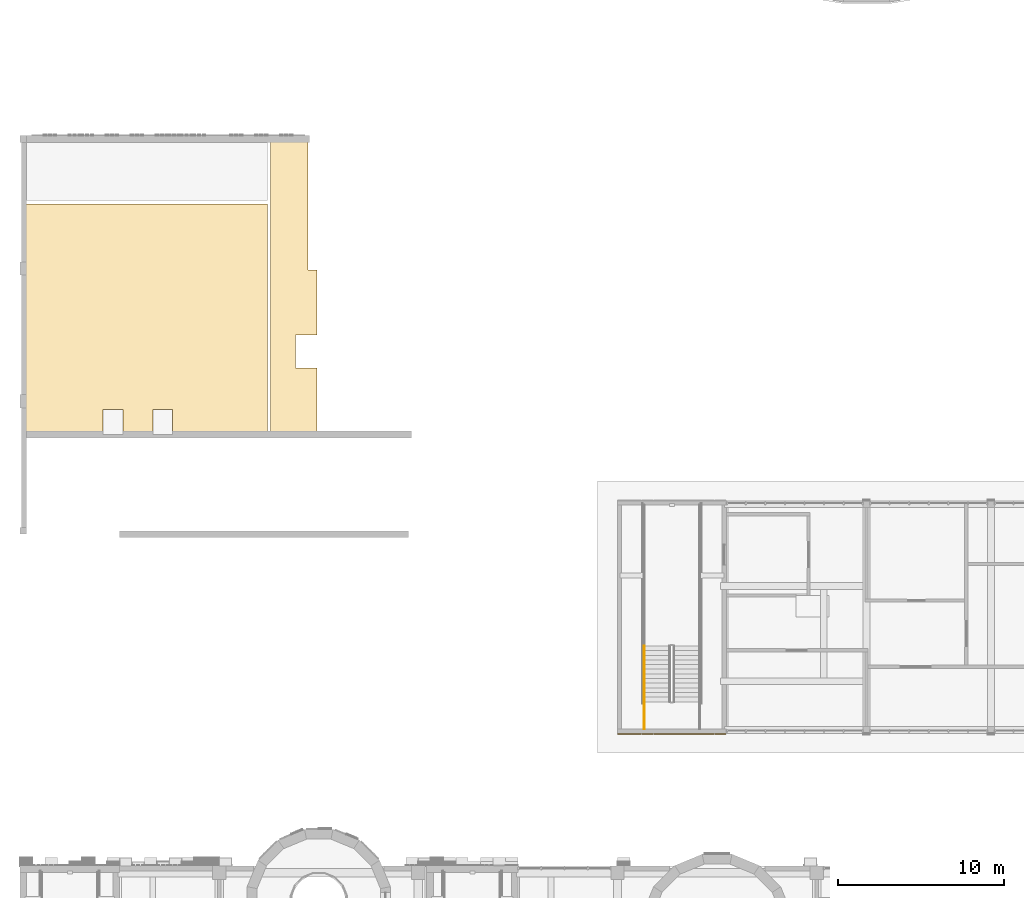
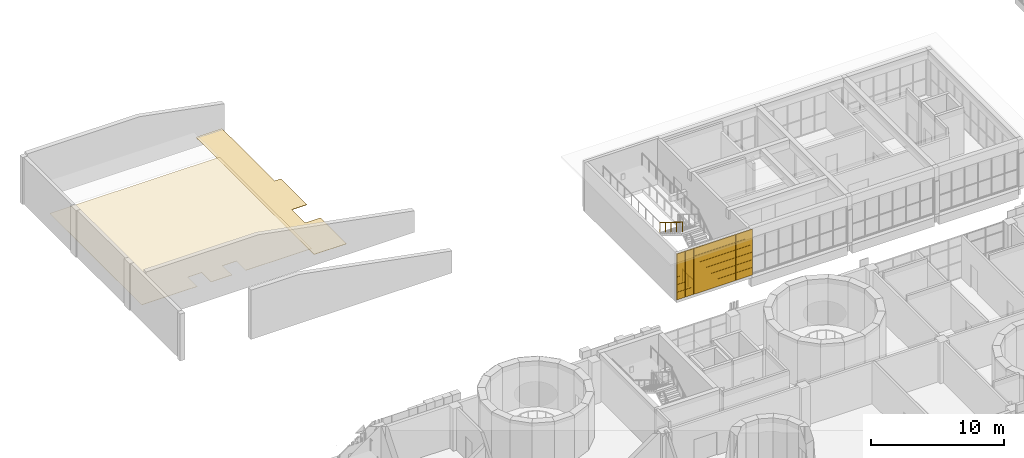
# One storey, part 70 of 92: 3 coverings, 2 railings.
"""IFC4 building model written with IfcOpenShell, lengths in metres."""

from ifc_helpers import new_model, si_unit, direction, frame, origin, origin_2d, place, context, subcontext, project, spatial, polyline, rectangle, circle, outline, extrude, material, layer, layer_set, type_object, element, save


model = new_model("IFC4")

# Units and contexts
model_context = context("Model", 3, precision=1e-05, world=origin(), true_north=direction((0.0, 1.0)))
body_context = subcontext(model_context, "Body", "Model", "MODEL_VIEW")
ifc_project = project(units=[si_unit("LENGTHUNIT", "METRE"), si_unit("AREAUNIT", "SQUARE_METRE"), si_unit("VOLUMEUNIT", "CUBIC_METRE"), si_unit("PLANEANGLEUNIT", "RADIAN"), si_unit("MASSUNIT", "GRAM", prefix="KILO")], contexts=[model_context])

# Site, building, storey
site_placement = place(None, origin())
site = spatial("IfcSite", under=ifc_project, at=site_placement, CompositionType="ELEMENT")
building_placement = place(site_placement, origin())
building = spatial("IfcBuilding", under=site, at=building_placement, Name="Sun Court Science Centre", CompositionType="ELEMENT")
storey_placement = place(building_placement, frame((0.0, 0.0, 11.25)))
storey = spatial("IfcBuildingStorey", under=building, at=storey_placement, Name="L02", CompositionType="ELEMENT", Elevation=11.25)

# Coverings
ifc_material_1 = material(Name="Perforated steel", Category="steel")
ifc_layer_1 = layer(ifc_material_1, 0.030029296875)
ifc_layer_set_1 = layer_set([ifc_layer_1], Name="Perforated steel")
covering_type_1 = type_object("IfcCoveringType", Name="Ceiling acoustic perforated", PredefinedType="CEILING", material=ifc_layer_set_1)
covering_1_placement = place(storey_placement, frame((0.0, 0.0, 1.0576171875)))
element("IfcCovering", 1, at=covering_1_placement, inside=storey, type_object=covering_type_1, Name="L00-069 ceiling", PredefinedType="CEILING", context=body_context, shape_type="SweptSolid", body=[
    extrude(outline(polyline([(9.199951171875, 55.5), (8.0, 55.5), (8.0, 54.10009765625), (6.199951171875, 54.10009765625), (6.199951171875, 55.5), (5.0, 55.5), (5.0, 54.10009765625), (0.199951171875, 54.10009765625), (0.199951171875, 67.89990234375), (14.89990234375, 67.89990234375), (14.89990234375, 54.10009765625), (9.199951171875, 54.10009765625), (9.199951171875, 55.5)])), origin(), (0.0, 0.0, 1.0), 0.02978515625),
])
ifc_material_2 = material(Name="Gypsum board")
ifc_layer_2 = layer(ifc_material_2, 0.030029296875)
ifc_layer_set_2 = layer_set([ifc_layer_2], Name="Gypsum board")
covering_type_2 = type_object("IfcCoveringType", Name="Ceiling suspended 600 module", PredefinedType="CEILING", material=ifc_layer_set_2)
covering_2_placement = place(storey_placement, frame((0.0, 0.0, 0.445068359375)))
element("IfcCovering", 2, at=covering_2_placement, inside=storey, type_object=covering_type_2, Name="L00-070 ceiling", PredefinedType="CEILING", context=body_context, shape_type="SweptSolid", body=[
    extrude(outline(polyline([(17.35009765625, 63.89990234375), (17.89990234375, 63.89990234375), (17.89990234375, 60.0), (16.60009765625, 60.0), (16.60009765625, 58.0), (17.89990234375, 58.0), (17.89990234375, 54.10009765625), (15.10009765625, 54.10009765625), (15.10009765625, 71.800048828125), (17.35009765625, 71.800048828125), (17.35009765625, 63.89990234375)])), origin(), (0.0, 0.0, 1.0), 0.030029296875),
])

# Railings
ifc_material_3 = material(Name="Steel S275", Category="steel")
railing_type_1 = type_object("IfcRailingType", Name="Guard 1100 steel balustrade", PredefinedType="GUARDRAIL", material=ifc_material_3)
railing_1_placement = place(storey_placement, frame((37.60205078125, 36.25, 0.0)))
element("IfcRailing", 3, at=railing_1_placement, inside=storey, type_object=railing_type_1, Name="L02 SP1 stair guard 8", PredefinedType="GUARDRAIL", context=body_context, shape_type="SweptSolid", body=[
    extrude(circle(Radius=0.02392578125, at=origin_2d()), frame((0.0, 0.0, 1.076171875), z_axis=(0.0, 1.0, 0.0), x_axis=(-1.0, 0.0, 0.0)), (0.0, 0.0, 1.0), 1.64794921875),
    extrude(circle(Radius=0.02099609375, at=origin_2d()), origin(), (0.0, 0.0, 1.0), 1.052001953125),
    extrude(circle(Radius=0.02099609375, at=origin_2d()), frame((0.0, 0.823974609375, 0.0)), (0.0, 0.0, 1.0), 1.052001953125),
    extrude(circle(Radius=0.02099609375, at=origin_2d()), frame((0.0, 1.64794921875, 0.0)), (0.0, 0.0, 1.0), 1.052001953125),
])
ifc_material_4 = material(Name="Stainless steel", Category="steel")
railing_type_2 = type_object("IfcRailingType", Name="Handrail 900 stainless", PredefinedType="HANDRAIL", material=ifc_material_4)
railing_2_placement = place(storey_placement, frame((37.60205078125, 41.258056640625, 2.423095703125)))
element("IfcRailing", 4, at=railing_2_placement, inside=storey, type_object=railing_type_2, Name="L02 SP1 stair handrail 2", PredefinedType="HANDRAIL", context=body_context, shape_type="SweptSolid", body=[
    extrude(circle(Radius=0.02392578125, at=origin_2d()), frame((0.0, 0.0, 0.8759765625), z_axis=(0.0, -0.850623216509, 0.525775754039), x_axis=(1.0, 0.0, 0.0)), (0.0, 0.0, 1.0), 3.9501953125),
    extrude(circle(Radius=0.02099609375, at=origin_2d()), origin(), (0.0, 0.0, 1.0), 0.851806640625),
    extrude(circle(Radius=0.02099609375, at=origin_2d()), frame((0.0, -0.840087890625, 0.519287109375)), (0.0, 0.0, 1.0), 0.851806640625),
    extrude(circle(Radius=0.02099609375, at=origin_2d()), frame((0.0, -1.68017578125, 1.03857421875)), (0.0, 0.0, 1.0), 0.851806640625),
    extrude(circle(Radius=0.02099609375, at=origin_2d()), frame((0.0, -2.52001953125, 1.5576171875)), (0.0, 0.0, 1.0), 0.851806640625),
    extrude(circle(Radius=0.02099609375, at=origin_2d()), frame((0.0, -3.360107421875, 2.076904296875)), (0.0, 0.0, 1.0), 0.851806640625),
])

# Covering
ifc_material_5 = material(Name="Red sandstone", Category="masonry")
ifc_layer_3 = layer(ifc_material_5, 0.06005859375)
ifc_layer_set_3 = layer_set([ifc_layer_3], Name="Red sandstone")
covering_type_3 = type_object("IfcCoveringType", Name="Red sandstone wall cladding 750", PredefinedType="CLADDING", material=ifc_layer_set_3)
covering_3_placement = place(storey_placement, frame((0.0, 0.0, -11.25)))
element("IfcCovering", 5, at=covering_3_placement, inside=storey, type_object=covering_type_3, Name="Red sandstone wall cladding south face L02", PredefinedType="CLADDING", context=body_context, shape_type="SweptSolid", body=[
    extrude(rectangle(XDim=0.7177734375, YDim=0.06005859375, at=origin_2d()), frame((42.18603515625, 35.969970703125, 11.255126953125), z_axis=(0.0, 0.0, 1.0), x_axis=(-1.0, 0.0, 0.0)), (0.0, 0.0, 1.0), 0.68994140625),
    extrude(rectangle(XDim=0.7177734375, YDim=0.06005859375, at=origin_2d()), frame((41.458251953125, 35.969970703125, 11.255126953125), z_axis=(0.0, 0.0, 1.0), x_axis=(-1.0, 0.0, 0.0)), (0.0, 0.0, 1.0), 0.68994140625),
    extrude(rectangle(XDim=0.7177734375, YDim=0.06005859375, at=origin_2d()), frame((40.73046875, 35.969970703125, 11.255126953125), z_axis=(0.0, 0.0, 1.0), x_axis=(-1.0, 0.0, 0.0)), (0.0, 0.0, 1.0), 0.68994140625),
    extrude(rectangle(XDim=0.7177734375, YDim=0.06005859375, at=origin_2d()), frame((40.002685546875, 35.969970703125, 11.255126953125), z_axis=(0.0, 0.0, 1.0), x_axis=(-1.0, 0.0, 0.0)), (0.0, 0.0, 1.0), 0.68994140625),
    extrude(rectangle(XDim=0.7177734375, YDim=0.06005859375, at=origin_2d()), frame((39.27490234375, 35.969970703125, 11.255126953125), z_axis=(0.0, 0.0, 1.0), x_axis=(-1.0, 0.0, 0.0)), (0.0, 0.0, 1.0), 0.68994140625),
    extrude(rectangle(XDim=0.7177734375, YDim=0.06005859375, at=origin_2d()), frame((38.547119140625, 35.969970703125, 11.255126953125), z_axis=(0.0, 0.0, 1.0), x_axis=(-1.0, 0.0, 0.0)), (0.0, 0.0, 1.0), 0.68994140625),
    extrude(rectangle(XDim=0.7177734375, YDim=0.06005859375, at=origin_2d()), frame((37.8193359375, 35.969970703125, 11.255126953125), z_axis=(0.0, 0.0, 1.0), x_axis=(-1.0, 0.0, 0.0)), (0.0, 0.0, 1.0), 0.68994140625),
    extrude(rectangle(XDim=0.7177734375, YDim=0.06005859375, at=origin_2d()), frame((37.091552734375, 35.969970703125, 11.255126953125), z_axis=(0.0, 0.0, 1.0), x_axis=(-1.0, 0.0, 0.0)), (0.0, 0.0, 1.0), 0.68994140625),
    extrude(rectangle(XDim=0.7177734375, YDim=0.06005859375, at=origin_2d()), frame((36.36376953125, 35.969970703125, 11.255126953125), z_axis=(0.0, 0.0, 1.0), x_axis=(-1.0, 0.0, 0.0)), (0.0, 0.0, 1.0), 0.68994140625),
    extrude(rectangle(XDim=0.7177734375, YDim=0.06005859375, at=origin_2d()), frame((42.18603515625, 35.969970703125, 11.955078125), z_axis=(0.0, 0.0, 1.0), x_axis=(-1.0, 0.0, 0.0)), (0.0, 0.0, 1.0), 0.68994140625),
    extrude(rectangle(XDim=0.7177734375, YDim=0.06005859375, at=origin_2d()), frame((41.458251953125, 35.969970703125, 11.955078125), z_axis=(0.0, 0.0, 1.0), x_axis=(-1.0, 0.0, 0.0)), (0.0, 0.0, 1.0), 0.68994140625),
    extrude(rectangle(XDim=0.7177734375, YDim=0.06005859375, at=origin_2d()), frame((40.73046875, 35.969970703125, 11.955078125), z_axis=(0.0, 0.0, 1.0), x_axis=(-1.0, 0.0, 0.0)), (0.0, 0.0, 1.0), 0.68994140625),
    extrude(rectangle(XDim=0.7177734375, YDim=0.06005859375, at=origin_2d()), frame((40.002685546875, 35.969970703125, 11.955078125), z_axis=(0.0, 0.0, 1.0), x_axis=(-1.0, 0.0, 0.0)), (0.0, 0.0, 1.0), 0.68994140625),
    extrude(rectangle(XDim=0.7177734375, YDim=0.06005859375, at=origin_2d()), frame((39.27490234375, 35.969970703125, 11.955078125), z_axis=(0.0, 0.0, 1.0), x_axis=(-1.0, 0.0, 0.0)), (0.0, 0.0, 1.0), 0.68994140625),
    extrude(rectangle(XDim=0.7177734375, YDim=0.06005859375, at=origin_2d()), frame((38.547119140625, 35.969970703125, 11.955078125), z_axis=(0.0, 0.0, 1.0), x_axis=(-1.0, 0.0, 0.0)), (0.0, 0.0, 1.0), 0.68994140625),
    extrude(rectangle(XDim=0.7177734375, YDim=0.06005859375, at=origin_2d()), frame((37.8193359375, 35.969970703125, 11.955078125), z_axis=(0.0, 0.0, 1.0), x_axis=(-1.0, 0.0, 0.0)), (0.0, 0.0, 1.0), 0.68994140625),
    extrude(rectangle(XDim=0.7177734375, YDim=0.06005859375, at=origin_2d()), frame((37.091552734375, 35.969970703125, 11.955078125), z_axis=(0.0, 0.0, 1.0), x_axis=(-1.0, 0.0, 0.0)), (0.0, 0.0, 1.0), 0.68994140625),
    extrude(rectangle(XDim=0.7177734375, YDim=0.06005859375, at=origin_2d()), frame((36.36376953125, 35.969970703125, 11.955078125), z_axis=(0.0, 0.0, 1.0), x_axis=(-1.0, 0.0, 0.0)), (0.0, 0.0, 1.0), 0.68994140625),
    extrude(rectangle(XDim=0.7177734375, YDim=0.06005859375, at=origin_2d()), frame((42.18603515625, 35.969970703125, 12.655029296875), z_axis=(0.0, 0.0, 1.0), x_axis=(-1.0, 0.0, 0.0)), (0.0, 0.0, 1.0), 0.68994140625),
    extrude(rectangle(XDim=0.7177734375, YDim=0.06005859375, at=origin_2d()), frame((41.458251953125, 35.969970703125, 12.655029296875), z_axis=(0.0, 0.0, 1.0), x_axis=(-1.0, 0.0, 0.0)), (0.0, 0.0, 1.0), 0.68994140625),
    extrude(rectangle(XDim=0.7177734375, YDim=0.06005859375, at=origin_2d()), frame((40.73046875, 35.969970703125, 12.655029296875), z_axis=(0.0, 0.0, 1.0), x_axis=(-1.0, 0.0, 0.0)), (0.0, 0.0, 1.0), 0.68994140625),
    extrude(rectangle(XDim=0.7177734375, YDim=0.06005859375, at=origin_2d()), frame((40.002685546875, 35.969970703125, 12.655029296875), z_axis=(0.0, 0.0, 1.0), x_axis=(-1.0, 0.0, 0.0)), (0.0, 0.0, 1.0), 0.68994140625),
    extrude(rectangle(XDim=0.7177734375, YDim=0.06005859375, at=origin_2d()), frame((39.27490234375, 35.969970703125, 12.655029296875), z_axis=(0.0, 0.0, 1.0), x_axis=(-1.0, 0.0, 0.0)), (0.0, 0.0, 1.0), 0.68994140625),
    extrude(rectangle(XDim=0.7177734375, YDim=0.06005859375, at=origin_2d()), frame((38.547119140625, 35.969970703125, 12.655029296875), z_axis=(0.0, 0.0, 1.0), x_axis=(-1.0, 0.0, 0.0)), (0.0, 0.0, 1.0), 0.68994140625),
    extrude(rectangle(XDim=0.7177734375, YDim=0.06005859375, at=origin_2d()), frame((37.8193359375, 35.969970703125, 12.655029296875), z_axis=(0.0, 0.0, 1.0), x_axis=(-1.0, 0.0, 0.0)), (0.0, 0.0, 1.0), 0.68994140625),
    extrude(rectangle(XDim=0.7177734375, YDim=0.06005859375, at=origin_2d()), frame((37.091552734375, 35.969970703125, 12.655029296875), z_axis=(0.0, 0.0, 1.0), x_axis=(-1.0, 0.0, 0.0)), (0.0, 0.0, 1.0), 0.68994140625),
    extrude(rectangle(XDim=0.7177734375, YDim=0.06005859375, at=origin_2d()), frame((36.36376953125, 35.969970703125, 12.655029296875), z_axis=(0.0, 0.0, 1.0), x_axis=(-1.0, 0.0, 0.0)), (0.0, 0.0, 1.0), 0.68994140625),
    extrude(rectangle(XDim=0.7177734375, YDim=0.06005859375, at=origin_2d()), frame((42.18603515625, 35.969970703125, 13.35498046875), z_axis=(0.0, 0.0, 1.0), x_axis=(-1.0, 0.0, 0.0)), (0.0, 0.0, 1.0), 0.68994140625),
    extrude(rectangle(XDim=0.7177734375, YDim=0.06005859375, at=origin_2d()), frame((41.458251953125, 35.969970703125, 13.35498046875), z_axis=(0.0, 0.0, 1.0), x_axis=(-1.0, 0.0, 0.0)), (0.0, 0.0, 1.0), 0.68994140625),
    extrude(rectangle(XDim=0.7177734375, YDim=0.06005859375, at=origin_2d()), frame((40.73046875, 35.969970703125, 13.35498046875), z_axis=(0.0, 0.0, 1.0), x_axis=(-1.0, 0.0, 0.0)), (0.0, 0.0, 1.0), 0.68994140625),
    extrude(rectangle(XDim=0.7177734375, YDim=0.06005859375, at=origin_2d()), frame((40.002685546875, 35.969970703125, 13.35498046875), z_axis=(0.0, 0.0, 1.0), x_axis=(-1.0, 0.0, 0.0)), (0.0, 0.0, 1.0), 0.68994140625),
    extrude(rectangle(XDim=0.7177734375, YDim=0.06005859375, at=origin_2d()), frame((39.27490234375, 35.969970703125, 13.35498046875), z_axis=(0.0, 0.0, 1.0), x_axis=(-1.0, 0.0, 0.0)), (0.0, 0.0, 1.0), 0.68994140625),
    extrude(rectangle(XDim=0.7177734375, YDim=0.06005859375, at=origin_2d()), frame((38.547119140625, 35.969970703125, 13.35498046875), z_axis=(0.0, 0.0, 1.0), x_axis=(-1.0, 0.0, 0.0)), (0.0, 0.0, 1.0), 0.68994140625),
    extrude(rectangle(XDim=0.7177734375, YDim=0.06005859375, at=origin_2d()), frame((37.8193359375, 35.969970703125, 13.35498046875), z_axis=(0.0, 0.0, 1.0), x_axis=(-1.0, 0.0, 0.0)), (0.0, 0.0, 1.0), 0.68994140625),
    extrude(rectangle(XDim=0.7177734375, YDim=0.06005859375, at=origin_2d()), frame((37.091552734375, 35.969970703125, 13.35498046875), z_axis=(0.0, 0.0, 1.0), x_axis=(-1.0, 0.0, 0.0)), (0.0, 0.0, 1.0), 0.68994140625),
    extrude(rectangle(XDim=0.7177734375, YDim=0.06005859375, at=origin_2d()), frame((36.36376953125, 35.969970703125, 13.35498046875), z_axis=(0.0, 0.0, 1.0), x_axis=(-1.0, 0.0, 0.0)), (0.0, 0.0, 1.0), 0.68994140625),
    extrude(rectangle(XDim=0.7177734375, YDim=0.06005859375, at=origin_2d()), frame((42.18603515625, 35.969970703125, 14.054931640625), z_axis=(0.0, 0.0, 1.0), x_axis=(-1.0, 0.0, 0.0)), (0.0, 0.0, 1.0), 0.68994140625),
    extrude(rectangle(XDim=0.7177734375, YDim=0.06005859375, at=origin_2d()), frame((41.458251953125, 35.969970703125, 14.054931640625), z_axis=(0.0, 0.0, 1.0), x_axis=(-1.0, 0.0, 0.0)), (0.0, 0.0, 1.0), 0.68994140625),
    extrude(rectangle(XDim=0.7177734375, YDim=0.06005859375, at=origin_2d()), frame((40.73046875, 35.969970703125, 14.054931640625), z_axis=(0.0, 0.0, 1.0), x_axis=(-1.0, 0.0, 0.0)), (0.0, 0.0, 1.0), 0.68994140625),
    extrude(rectangle(XDim=0.7177734375, YDim=0.06005859375, at=origin_2d()), frame((40.002685546875, 35.969970703125, 14.054931640625), z_axis=(0.0, 0.0, 1.0), x_axis=(-1.0, 0.0, 0.0)), (0.0, 0.0, 1.0), 0.68994140625),
    extrude(rectangle(XDim=0.7177734375, YDim=0.06005859375, at=origin_2d()), frame((39.27490234375, 35.969970703125, 14.054931640625), z_axis=(0.0, 0.0, 1.0), x_axis=(-1.0, 0.0, 0.0)), (0.0, 0.0, 1.0), 0.68994140625),
    extrude(rectangle(XDim=0.7177734375, YDim=0.06005859375, at=origin_2d()), frame((38.547119140625, 35.969970703125, 14.054931640625), z_axis=(0.0, 0.0, 1.0), x_axis=(-1.0, 0.0, 0.0)), (0.0, 0.0, 1.0), 0.68994140625),
    extrude(rectangle(XDim=0.7177734375, YDim=0.06005859375, at=origin_2d()), frame((37.8193359375, 35.969970703125, 14.054931640625), z_axis=(0.0, 0.0, 1.0), x_axis=(-1.0, 0.0, 0.0)), (0.0, 0.0, 1.0), 0.68994140625),
    extrude(rectangle(XDim=0.7177734375, YDim=0.06005859375, at=origin_2d()), frame((37.091552734375, 35.969970703125, 14.054931640625), z_axis=(0.0, 0.0, 1.0), x_axis=(-1.0, 0.0, 0.0)), (0.0, 0.0, 1.0), 0.68994140625),
    extrude(rectangle(XDim=0.7177734375, YDim=0.06005859375, at=origin_2d()), frame((36.36376953125, 35.969970703125, 14.054931640625), z_axis=(0.0, 0.0, 1.0), x_axis=(-1.0, 0.0, 0.0)), (0.0, 0.0, 1.0), 0.68994140625),
    extrude(rectangle(XDim=0.7177734375, YDim=0.06005859375, at=origin_2d()), frame((42.18603515625, 35.969970703125, 14.755126953125), z_axis=(0.0, 0.0, 1.0), x_axis=(-1.0, 0.0, 0.0)), (0.0, 0.0, 1.0), 0.68994140625),
    extrude(rectangle(XDim=0.7177734375, YDim=0.06005859375, at=origin_2d()), frame((41.458251953125, 35.969970703125, 14.755126953125), z_axis=(0.0, 0.0, 1.0), x_axis=(-1.0, 0.0, 0.0)), (0.0, 0.0, 1.0), 0.68994140625),
    extrude(rectangle(XDim=0.7177734375, YDim=0.06005859375, at=origin_2d()), frame((40.73046875, 35.969970703125, 14.755126953125), z_axis=(0.0, 0.0, 1.0), x_axis=(-1.0, 0.0, 0.0)), (0.0, 0.0, 1.0), 0.68994140625),
    extrude(rectangle(XDim=0.7177734375, YDim=0.06005859375, at=origin_2d()), frame((40.002685546875, 35.969970703125, 14.755126953125), z_axis=(0.0, 0.0, 1.0), x_axis=(-1.0, 0.0, 0.0)), (0.0, 0.0, 1.0), 0.68994140625),
    extrude(rectangle(XDim=0.7177734375, YDim=0.06005859375, at=origin_2d()), frame((39.27490234375, 35.969970703125, 14.755126953125), z_axis=(0.0, 0.0, 1.0), x_axis=(-1.0, 0.0, 0.0)), (0.0, 0.0, 1.0), 0.68994140625),
    extrude(rectangle(XDim=0.7177734375, YDim=0.06005859375, at=origin_2d()), frame((38.547119140625, 35.969970703125, 14.755126953125), z_axis=(0.0, 0.0, 1.0), x_axis=(-1.0, 0.0, 0.0)), (0.0, 0.0, 1.0), 0.68994140625),
    extrude(rectangle(XDim=0.7177734375, YDim=0.06005859375, at=origin_2d()), frame((37.8193359375, 35.969970703125, 14.755126953125), z_axis=(0.0, 0.0, 1.0), x_axis=(-1.0, 0.0, 0.0)), (0.0, 0.0, 1.0), 0.68994140625),
    extrude(rectangle(XDim=0.7177734375, YDim=0.06005859375, at=origin_2d()), frame((37.091552734375, 35.969970703125, 14.755126953125), z_axis=(0.0, 0.0, 1.0), x_axis=(-1.0, 0.0, 0.0)), (0.0, 0.0, 1.0), 0.68994140625),
    extrude(rectangle(XDim=0.7177734375, YDim=0.06005859375, at=origin_2d()), frame((36.36376953125, 35.969970703125, 14.755126953125), z_axis=(0.0, 0.0, 1.0), x_axis=(-1.0, 0.0, 0.0)), (0.0, 0.0, 1.0), 0.68994140625),
])

save(model, "model.ifc")
